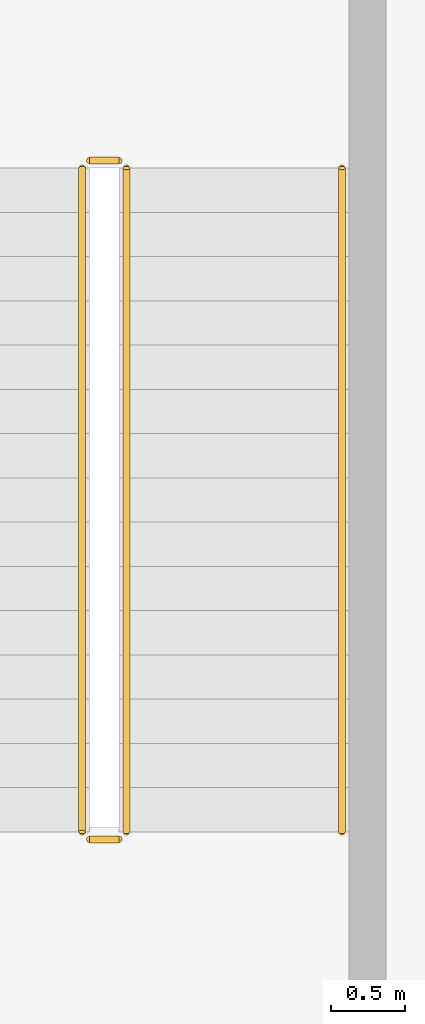
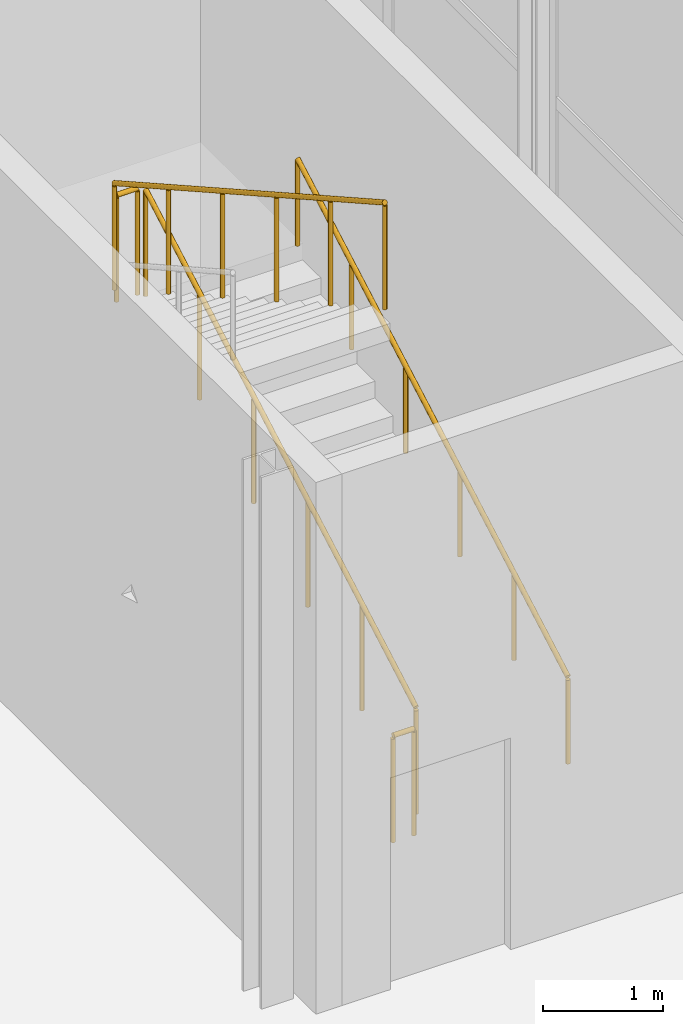
# One storey, part 77 of 83: 5 railings.
"""IFC4 building model written with IfcOpenShell, lengths in metres."""

from ifc_helpers import new_model, si_unit, direction, frame, origin, origin_2d, place, context, subcontext, project, spatial, circle, extrude, material, type_object, element, save


model = new_model("IFC4")

# Units and contexts
model_context = context("Model", 3, precision=1e-05, world=origin(), true_north=direction((0.0, 1.0)))
body_context = subcontext(model_context, "Body", "Model", "MODEL_VIEW")
ifc_project = project(units=[si_unit("LENGTHUNIT", "METRE"), si_unit("AREAUNIT", "SQUARE_METRE"), si_unit("VOLUMEUNIT", "CUBIC_METRE"), si_unit("PLANEANGLEUNIT", "RADIAN"), si_unit("MASSUNIT", "GRAM", prefix="KILO")], contexts=[model_context])

# Site, building, storey
site_placement = place(None, origin())
site = spatial("IfcSite", under=ifc_project, at=site_placement, CompositionType="ELEMENT")
building_placement = place(site_placement, origin())
building = spatial("IfcBuilding", under=site, at=building_placement, Name="Quillay Park Conservatory", CompositionType="ELEMENT")
storey_placement = place(building_placement, origin())
storey = spatial("IfcBuildingStorey", under=building, at=storey_placement, Name="L00", CompositionType="ELEMENT", Elevation=0.0)

# Railings
ifc_material_1 = material(Name="Steel S355J2H", Category="steel")
railing_type_1 = type_object("IfcRailingType", Name="STAIR WALL HANDRAIL 900", PredefinedType="HANDRAIL", material=ifc_material_1)
railing_1_placement = place(storey_placement, frame((18.719970703125, 40.449951171875, 0.168701171875)))
element("IfcRailing", 1, at=railing_1_placement, inside=storey, type_object=railing_type_1, Name="L00 ST-V2 stair handrail 1", PredefinedType="HANDRAIL", context=body_context, shape_type="SweptSolid", body=[
    extrude(circle(Radius=0.02392578125, at=origin_2d()), frame((0.0, 0.0, 0.8759765625), z_axis=(0.0, 0.871575537125, 0.490261239633), x_axis=(-1.0, 0.0, 0.0)), (0.0, 0.0, 1.0), 5.1630859375),
    extrude(circle(Radius=0.02099609375, at=origin_2d()), origin(), (0.0, 0.0, 1.0), 0.851806640625),
    extrude(circle(Radius=0.02099609375, at=origin_2d()), frame((0.0, 0.89990234375, 0.50634765625)), (0.0, 0.0, 1.0), 0.851806640625),
    extrude(circle(Radius=0.02099609375, at=origin_2d()), frame((0.0, 1.800048828125, 1.012451171875)), (0.0, 0.0, 1.0), 0.851806640625),
    extrude(circle(Radius=0.02099609375, at=origin_2d()), frame((0.0, 2.699951171875, 1.518798828125)), (0.0, 0.0, 1.0), 0.851806640625),
    extrude(circle(Radius=0.02099609375, at=origin_2d()), frame((0.0, 3.60009765625, 2.02490234375)), (0.0, 0.0, 1.0), 0.851806640625),
    extrude(circle(Radius=0.02099609375, at=origin_2d()), frame((0.0, 4.5, 2.53125)), (0.0, 0.0, 1.0), 0.851806640625),
])
ifc_material_2 = material(Name="Steel S355J2H", Category="steel")
railing_type_2 = type_object("IfcRailingType", Name="STAIR WELL GUARDRAIL 1100", PredefinedType="GUARDRAIL", material=ifc_material_2)
railing_2_placement = place(storey_placement, frame((17.260009765625, 40.449951171875, 0.168701171875)))
element("IfcRailing", 2, at=railing_2_placement, inside=storey, type_object=railing_type_2, Name="L00 ST-V2 stair guard 1", PredefinedType="GUARDRAIL", context=body_context, shape_type="SweptSolid", body=[
    extrude(circle(Radius=0.02392578125, at=origin_2d()), frame((0.0, 0.0, 1.076171875), z_axis=(0.0, 0.871575537125, 0.490261239633), x_axis=(-1.0, 0.0, 0.0)), (0.0, 0.0, 1.0), 5.1630859375),
    extrude(circle(Radius=0.02099609375, at=origin_2d()), origin(), (0.0, 0.0, 1.0), 1.052001953125),
    extrude(circle(Radius=0.02099609375, at=origin_2d()), frame((0.0, 0.89990234375, 0.50634765625)), (0.0, 0.0, 1.0), 1.052001953125),
    extrude(circle(Radius=0.02099609375, at=origin_2d()), frame((0.0, 1.800048828125, 1.012451171875)), (0.0, 0.0, 1.0), 1.052001953125),
    extrude(circle(Radius=0.02099609375, at=origin_2d()), frame((0.0, 2.699951171875, 1.518798828125)), (0.0, 0.0, 1.0), 1.052001953125),
    extrude(circle(Radius=0.02099609375, at=origin_2d()), frame((0.0, 3.60009765625, 2.02490234375)), (0.0, 0.0, 1.0), 1.052001953125),
    extrude(circle(Radius=0.02099609375, at=origin_2d()), frame((0.0, 4.5, 2.53125)), (0.0, 0.0, 1.0), 1.052001953125),
])
railing_3_placement = place(storey_placement, frame((17.2099609375, 45.0, 2.699951171875)))
element("IfcRailing", 3, at=railing_3_placement, inside=storey, type_object=railing_type_2, Name="L00 ST-V2 stair guard 2", PredefinedType="GUARDRAIL", context=body_context, shape_type="SweptSolid", body=[
    extrude(circle(Radius=0.02392578125, at=origin_2d()), frame((0.0, 0.0, 1.076171875), z_axis=(-1.0, 0.0, 0.0), x_axis=(0.0, -1.0, 0.0)), (0.0, 0.0, 1.0), 0.199951171875),
    extrude(circle(Radius=0.02099609375, at=origin_2d()), origin(), (0.0, 0.0, 1.0), 1.052001953125),
    extrude(circle(Radius=0.02099609375, at=origin_2d()), frame((-0.199951171875, 0.0, 0.0)), (0.0, 0.0, 1.0), 1.052001953125),
])
railing_4_placement = place(storey_placement, frame((16.9599609375, 44.949951171875, 2.86865234375)))
element("IfcRailing", 4, at=railing_4_placement, inside=storey, type_object=railing_type_2, Name="L00 ST-V2 stair guard 3", PredefinedType="GUARDRAIL", context=body_context, shape_type="SweptSolid", body=[
    extrude(circle(Radius=0.02392578125, at=origin_2d()), frame((0.0, 0.0, 1.076171875), z_axis=(0.0, -0.871575537125, 0.490261239633), x_axis=(1.0, 0.0, 0.0)), (0.0, 0.0, 1.0), 5.1630859375),
    extrude(circle(Radius=0.02099609375, at=origin_2d()), origin(), (0.0, 0.0, 1.0), 1.052001953125),
    extrude(circle(Radius=0.02099609375, at=origin_2d()), frame((0.0, -0.89990234375, 0.50634765625)), (0.0, 0.0, 1.0), 1.052001953125),
    extrude(circle(Radius=0.02099609375, at=origin_2d()), frame((0.0, -1.800048828125, 1.012451171875)), (0.0, 0.0, 1.0), 1.052001953125),
    extrude(circle(Radius=0.02099609375, at=origin_2d()), frame((0.0, -2.699951171875, 1.518798828125)), (0.0, 0.0, 1.0), 1.052001953125),
    extrude(circle(Radius=0.02099609375, at=origin_2d()), frame((0.0, -3.60009765625, 2.02490234375)), (0.0, 0.0, 1.0), 1.052001953125),
    extrude(circle(Radius=0.02099609375, at=origin_2d()), frame((0.0, -4.5, 2.53125)), (0.0, 0.0, 1.0), 1.052001953125),
])
railing_5_placement = place(storey_placement, frame((17.2099609375, 40.39990234375, 0.0)))
element("IfcRailing", 5, at=railing_5_placement, inside=storey, type_object=railing_type_2, Name="L00 ST-V2 stair guard 4", PredefinedType="GUARDRAIL", context=body_context, shape_type="SweptSolid", body=[
    extrude(circle(Radius=0.02392578125, at=origin_2d()), frame((0.0, 0.0, 1.076171875), z_axis=(-1.0, 0.0, 0.0), x_axis=(0.0, -1.0, 0.0)), (0.0, 0.0, 1.0), 0.199951171875),
    extrude(circle(Radius=0.02099609375, at=origin_2d()), origin(), (0.0, 0.0, 1.0), 1.052001953125),
    extrude(circle(Radius=0.02099609375, at=origin_2d()), frame((-0.199951171875, 0.0, 0.0)), (0.0, 0.0, 1.0), 1.052001953125),
])

save(model, "model.ifc")
